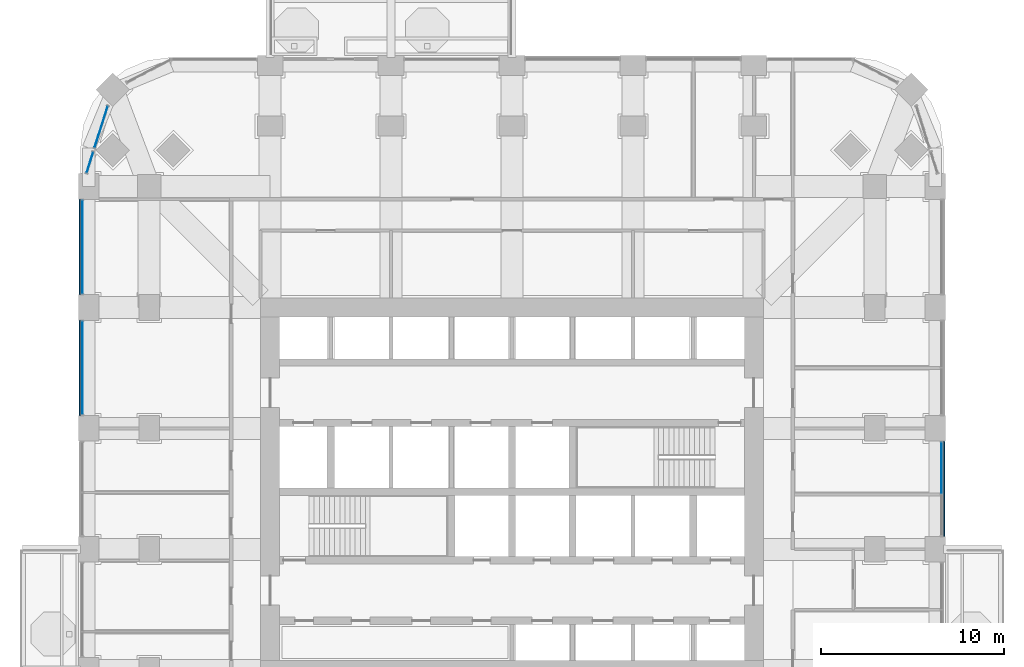
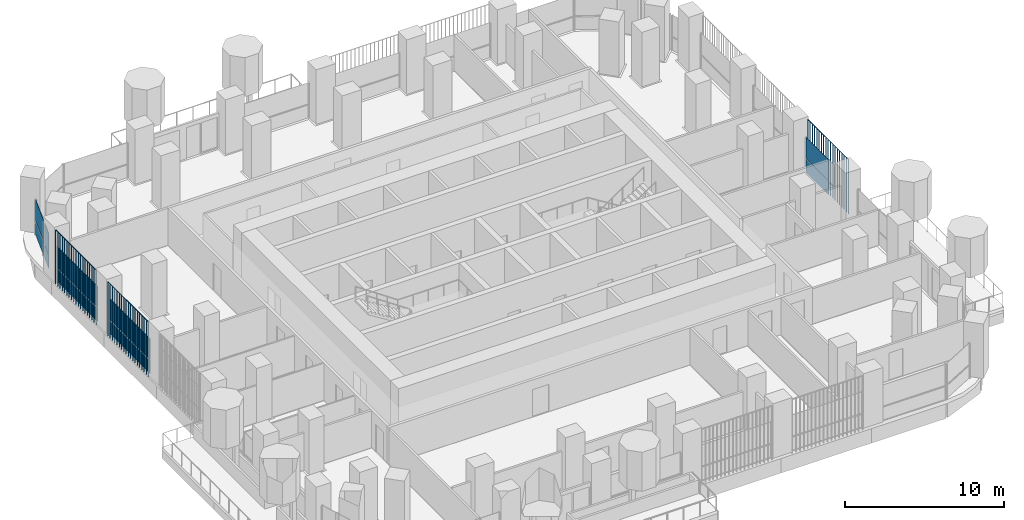
# One storey, part 10 of 21: 13 plates, 5 elements without a shape of their own.
"""IFC4 building model written with IfcOpenShell, lengths in metres."""

from ifc_helpers import new_model, si_unit, direction, frame, origin, origin_2d, place, context, subcontext, project, spatial, polyline, rectangle, outline, extrude, material, layer, layer_set, type_object, element, aggregate, save


model = new_model("IFC4")

# Units and contexts
model_context = context("Model", 3, precision=1e-05, world=origin(), true_north=direction((0.0, 1.0)))
body_context = subcontext(model_context, "Body", "Model", "MODEL_VIEW")
ifc_project = project(units=[si_unit("LENGTHUNIT", "METRE"), si_unit("AREAUNIT", "SQUARE_METRE"), si_unit("VOLUMEUNIT", "CUBIC_METRE"), si_unit("PLANEANGLEUNIT", "RADIAN"), si_unit("MASSUNIT", "GRAM", prefix="KILO")], contexts=[model_context])

# Site, building, storey
site_placement = place(None, origin())
site = spatial("IfcSite", under=ifc_project, at=site_placement, CompositionType="ELEMENT")
building_placement = place(site_placement, origin())
building = spatial("IfcBuilding", under=site, at=building_placement, Name="Cobogo Forest Laboratory Tower", CompositionType="ELEMENT")
storey_placement = place(building_placement, frame((0.0, 0.0, 124.199951171875)))
storey = spatial("IfcBuildingStorey", under=building, at=storey_placement, Name="L28", CompositionType="ELEMENT", Elevation=124.199951171875)

# Curtain wall, plates
ifc_material_1 = material(Name="Aluminium curtain wall", Category="aluminium")
curtain_wall_type = type_object("IfcCurtainWallType", Name="CW-1 unitised curtain wall, clear glazing, laboratory floors zones A and B", PredefinedType="USERDEFINED", material=ifc_material_1)
curtain_wall_1_placement = place(storey_placement, origin())
curtain_wall_1 = element("IfcCurtainWall", 1, at=curtain_wall_1_placement, inside=storey, type_object=curtain_wall_type, Name="Curtain wall 12 L28", ObjectType="UNITISED CURTAIN WALL", PredefinedType="USERDEFINED")
ifc_material_2 = material(Name="Clear insulated glass", Category="glass")
ifc_layer = layer(ifc_material_2, 0.028076171875)
ifc_layer_set = layer_set([ifc_layer], Name="GP-1 clear insulated glass unit 28")
plate_type_1 = type_object("IfcPlateType", Name="GP-1 clear insulated glass unit 28", PredefinedType="CURTAIN_PANEL", material=ifc_layer_set)
plate_1_placement = place(storey_placement, frame((49.85009765625, 24.235107421875, 0.0), z_axis=(0.0, 0.0, 1.0), x_axis=(0.0, 1.0, 0.0)))
plate_1 = element("IfcPlate", 2, at=plate_1_placement, type_object=plate_type_1, Name="CW-1 panel 2.1", PredefinedType="CURTAIN_PANEL", context=body_context, shape_type="SweptSolid", body=[
    extrude(rectangle(XDim=2.81005859375, YDim=0.028076171875, at=origin_2d()), origin(), (0.0, 0.0, 1.0), 1.02001953125),
])
plate_2_placement = place(storey_placement, frame((49.85009765625, 24.235107421875, 1.080078125), z_axis=(0.0, 0.0, 1.0), x_axis=(0.0, 1.0, 0.0)))
plate_2 = element("IfcPlate", 3, at=plate_2_placement, type_object=plate_type_1, Name="CW-1 panel 2.2", PredefinedType="CURTAIN_PANEL", context=body_context, shape_type="SweptSolid", body=[
    extrude(rectangle(XDim=2.81005859375, YDim=0.028076171875, at=origin_2d()), origin(), (0.0, 0.0, 1.0), 1.6201171875),
])
aggregate(curtain_wall_1, [plate_1, plate_2])

curtain_wall_2_placement = place(storey_placement, origin())
curtain_wall_2 = element("IfcCurtainWall", 4, at=curtain_wall_2_placement, inside=storey, type_object=curtain_wall_type, Name="Curtain wall 25 L28", ObjectType="UNITISED CURTAIN WALL", PredefinedType="USERDEFINED")
plate_3_placement = place(storey_placement, frame((3.978759765625, 42.857421875, 0.0), z_axis=(0.0, 0.0, 1.0), x_axis=(-0.301135291996, -0.953581425949, 0.0)))
plate_3 = element("IfcPlate", 5, at=plate_3_placement, type_object=plate_type_1, Name="CW-1 panel 1.1", PredefinedType="CURTAIN_PANEL", context=body_context, shape_type="SweptSolid", body=[
    extrude(rectangle(XDim=2.3681640625, YDim=0.028076171875, at=origin_2d()), origin(), (0.0, 0.0, 1.0), 1.02001953125),
])
plate_4_placement = place(storey_placement, frame((3.978759765625, 42.857421875, 1.080078125), z_axis=(0.0, 0.0, 1.0), x_axis=(-0.301135291996, -0.953581425949, 0.0)))
plate_4 = element("IfcPlate", 6, at=plate_4_placement, type_object=plate_type_1, Name="CW-1 panel 1.2", PredefinedType="CURTAIN_PANEL", context=body_context, shape_type="SweptSolid", body=[
    extrude(rectangle(XDim=2.3681640625, YDim=0.028076171875, at=origin_2d()), origin(), (0.0, 0.0, 1.0), 1.6201171875),
])
aggregate(curtain_wall_2, [plate_3, plate_4])

curtain_wall_3_placement = place(storey_placement, origin())
curtain_wall_3 = element("IfcCurtainWall", 7, at=curtain_wall_3_placement, inside=storey, type_object=curtain_wall_type, Name="Curtain wall 26 L28", ObjectType="UNITISED CURTAIN WALL", PredefinedType="USERDEFINED")
plate_5_placement = place(storey_placement, frame((3.3662109375, 40.917724609375, 0.0), z_axis=(0.0, 0.0, 1.0), x_axis=(-0.301135356805, -0.953581405483, 0.0)))
plate_5 = element("IfcPlate", 8, at=plate_5_placement, type_object=plate_type_1, Name="CW-1 panel 1.1", PredefinedType="CURTAIN_PANEL", context=body_context, shape_type="SweptSolid", body=[
    extrude(rectangle(XDim=1.17578125, YDim=0.028076171875, at=origin_2d()), origin(), (0.0, 0.0, 1.0), 1.02001953125),
])
plate_6_placement = place(storey_placement, frame((3.3662109375, 40.917724609375, 1.080078125), z_axis=(0.0, 0.0, 1.0), x_axis=(-0.301135356805, -0.953581405483, 0.0)))
plate_6 = element("IfcPlate", 9, at=plate_6_placement, type_object=plate_type_1, Name="CW-1 panel 1.2", PredefinedType="CURTAIN_PANEL", context=body_context, shape_type="SweptSolid", body=[
    extrude(rectangle(XDim=1.17578125, YDim=0.028076171875, at=origin_2d()), origin(), (0.0, 0.0, 1.0), 1.6201171875),
])
aggregate(curtain_wall_3, [plate_5, plate_6])

curtain_wall_4_placement = place(storey_placement, origin())
curtain_wall_4 = element("IfcCurtainWall", 10, at=curtain_wall_4_placement, inside=storey, type_object=curtain_wall_type, Name="Curtain wall 27 L28", ObjectType="UNITISED CURTAIN WALL", PredefinedType="USERDEFINED")
plate_7_placement = place(storey_placement, frame((2.949951171875, 36.300048828125, 0.0), z_axis=(0.0, 0.0, 1.0), x_axis=(0.0, -1.0, 0.0)))
plate_7 = element("IfcPlate", 11, at=plate_7_placement, type_object=plate_type_1, Name="CW-1 panel 1.1", PredefinedType="CURTAIN_PANEL", context=body_context, shape_type="SweptSolid", body=[
    extrude(rectangle(XDim=5.080078125, YDim=0.028076171875, at=origin_2d()), origin(), (0.0, 0.0, 1.0), 1.02001953125),
])
plate_8_placement = place(storey_placement, frame((2.949951171875, 36.300048828125, 1.080078125), z_axis=(0.0, 0.0, 1.0), x_axis=(0.0, -1.0, 0.0)))
plate_8 = element("IfcPlate", 12, at=plate_8_placement, type_object=plate_type_1, Name="CW-1 panel 1.2", PredefinedType="CURTAIN_PANEL", context=body_context, shape_type="SweptSolid", body=[
    extrude(rectangle(XDim=5.080078125, YDim=0.028076171875, at=origin_2d()), origin(), (0.0, 0.0, 1.0), 1.6201171875),
])
aggregate(curtain_wall_4, [plate_7, plate_8])

curtain_wall_5_placement = place(storey_placement, origin())
curtain_wall_5 = element("IfcCurtainWall", 13, at=curtain_wall_5_placement, inside=storey, type_object=curtain_wall_type, Name="Curtain wall 28 L28", ObjectType="UNITISED CURTAIN WALL", PredefinedType="USERDEFINED")
plate_9_placement = place(storey_placement, frame((2.949951171875, 29.699951171875, 0.0), z_axis=(0.0, 0.0, 1.0), x_axis=(0.0, -1.0, 0.0)))
plate_9 = element("IfcPlate", 14, at=plate_9_placement, type_object=plate_type_1, Name="CW-1 panel 1.1", PredefinedType="CURTAIN_PANEL", context=body_context, shape_type="SweptSolid", body=[
    extrude(rectangle(XDim=5.080078125, YDim=0.028076171875, at=origin_2d()), origin(), (0.0, 0.0, 1.0), 1.02001953125),
])
plate_10_placement = place(storey_placement, frame((2.949951171875, 29.699951171875, 1.080078125), z_axis=(0.0, 0.0, 1.0), x_axis=(0.0, -1.0, 0.0)))
plate_10 = element("IfcPlate", 15, at=plate_10_placement, type_object=plate_type_1, Name="CW-1 panel 1.2", PredefinedType="CURTAIN_PANEL", context=body_context, shape_type="SweptSolid", body=[
    extrude(rectangle(XDim=5.080078125, YDim=0.028076171875, at=origin_2d()), origin(), (0.0, 0.0, 1.0), 1.6201171875),
])
aggregate(curtain_wall_5, [plate_9, plate_10])

# Plates
ifc_material_3 = material(Name="Terracotta", Category="masonry")
plate_type_2 = type_object("IfcPlateType", Name="TB1 terracotta baguette screen", PredefinedType="USERDEFINED", material=ifc_material_3)
plate_11_placement = place(storey_placement, frame((49.977783203125, 20.53125, -0.14990234375)))
element("IfcPlate", 16, at=plate_11_placement, inside=storey, type_object=plate_type_2, Name="Baguette screen E3 L28", ObjectType="BAGUETTE SCREEN", PredefinedType="USERDEFINED", context=body_context, shape_type="SweptSolid", body=[
    extrude(outline(polyline([(0.02880859375, 0.011962890625), (0.011962890625, 0.02880859375), (-0.011962890625, 0.02880859375), (-0.02880859375, 0.011962890625), (-0.02880859375, -0.011962890625), (-0.011962890625, -0.02880859375), (0.011962890625, -0.02880859375), (0.02880859375, -0.011962890625), (0.02880859375, 0.011962890625)])), frame((0.0, 0.0, 4.168701171875), z_axis=(0.0, 1.0, 0.0), x_axis=(-1.0, 0.0, 0.0)), (0.0, 0.0, 1.0), 5.137451171875),
    extrude(outline(polyline([(0.02880859375, 0.011962890625), (0.011962890625, 0.02880859375), (-0.011962890625, 0.02880859375), (-0.02880859375, 0.011962890625), (-0.02880859375, -0.011962890625), (-0.011962890625, -0.02880859375), (0.011962890625, -0.02880859375), (0.02880859375, -0.011962890625), (0.02880859375, 0.011962890625)])), origin(), (0.0, 0.0, 1.0), 4.137451171875),
    extrude(outline(polyline([(0.02880859375, 0.011962890625), (0.011962890625, 0.02880859375), (-0.011962890625, 0.02880859375), (-0.02880859375, 0.011962890625), (-0.02880859375, -0.011962890625), (-0.011962890625, -0.02880859375), (0.011962890625, -0.02880859375), (0.02880859375, -0.011962890625), (0.02880859375, 0.011962890625)])), frame((0.0, 0.285400390625, 0.0)), (0.0, 0.0, 1.0), 4.137451171875),
    extrude(outline(polyline([(0.02880859375, 0.011962890625), (0.011962890625, 0.02880859375), (-0.011962890625, 0.02880859375), (-0.02880859375, 0.011962890625), (-0.02880859375, -0.011962890625), (-0.011962890625, -0.02880859375), (0.011962890625, -0.02880859375), (0.02880859375, -0.011962890625), (0.02880859375, 0.011962890625)])), frame((0.0, 0.57080078125, 0.0)), (0.0, 0.0, 1.0), 4.137451171875),
    extrude(outline(polyline([(0.02880859375, 0.011962890625), (0.011962890625, 0.02880859375), (-0.011962890625, 0.02880859375), (-0.02880859375, 0.011962890625), (-0.02880859375, -0.011962890625), (-0.011962890625, -0.02880859375), (0.011962890625, -0.02880859375), (0.02880859375, -0.011962890625), (0.02880859375, 0.011962890625)])), frame((0.0, 0.856201171875, 0.0)), (0.0, 0.0, 1.0), 4.137451171875),
    extrude(outline(polyline([(0.02880859375, 0.011962890625), (0.011962890625, 0.02880859375), (-0.011962890625, 0.02880859375), (-0.02880859375, 0.011962890625), (-0.02880859375, -0.011962890625), (-0.011962890625, -0.02880859375), (0.011962890625, -0.02880859375), (0.02880859375, -0.011962890625), (0.02880859375, 0.011962890625)])), frame((0.0, 1.1416015625, 0.0)), (0.0, 0.0, 1.0), 4.137451171875),
    extrude(outline(polyline([(0.02880859375, 0.011962890625), (0.011962890625, 0.02880859375), (-0.011962890625, 0.02880859375), (-0.02880859375, 0.011962890625), (-0.02880859375, -0.011962890625), (-0.011962890625, -0.02880859375), (0.011962890625, -0.02880859375), (0.02880859375, -0.011962890625), (0.02880859375, 0.011962890625)])), frame((0.0, 1.427001953125, 0.0)), (0.0, 0.0, 1.0), 4.137451171875),
    extrude(outline(polyline([(0.02880859375, 0.011962890625), (0.011962890625, 0.02880859375), (-0.011962890625, 0.02880859375), (-0.02880859375, 0.011962890625), (-0.02880859375, -0.011962890625), (-0.011962890625, -0.02880859375), (0.011962890625, -0.02880859375), (0.02880859375, -0.011962890625), (0.02880859375, 0.011962890625)])), frame((0.0, 1.71240234375, 0.0)), (0.0, 0.0, 1.0), 4.137451171875),
    extrude(outline(polyline([(0.02880859375, 0.011962890625), (0.011962890625, 0.02880859375), (-0.011962890625, 0.02880859375), (-0.02880859375, 0.011962890625), (-0.02880859375, -0.011962890625), (-0.011962890625, -0.02880859375), (0.011962890625, -0.02880859375), (0.02880859375, -0.011962890625), (0.02880859375, 0.011962890625)])), frame((0.0, 1.997802734375, 0.0)), (0.0, 0.0, 1.0), 4.137451171875),
    extrude(outline(polyline([(0.02880859375, 0.011962890625), (0.011962890625, 0.02880859375), (-0.011962890625, 0.02880859375), (-0.02880859375, 0.011962890625), (-0.02880859375, -0.011962890625), (-0.011962890625, -0.02880859375), (0.011962890625, -0.02880859375), (0.02880859375, -0.011962890625), (0.02880859375, 0.011962890625)])), frame((0.0, 2.283203125, 0.0)), (0.0, 0.0, 1.0), 4.137451171875),
    extrude(outline(polyline([(0.02880859375, 0.011962890625), (0.011962890625, 0.02880859375), (-0.011962890625, 0.02880859375), (-0.02880859375, 0.011962890625), (-0.02880859375, -0.011962890625), (-0.011962890625, -0.02880859375), (0.011962890625, -0.02880859375), (0.02880859375, -0.011962890625), (0.02880859375, 0.011962890625)])), frame((0.0, 2.56884765625, 0.0)), (0.0, 0.0, 1.0), 4.137451171875),
    extrude(outline(polyline([(0.02880859375, 0.011962890625), (0.011962890625, 0.02880859375), (-0.011962890625, 0.02880859375), (-0.02880859375, 0.011962890625), (-0.02880859375, -0.011962890625), (-0.011962890625, -0.02880859375), (0.011962890625, -0.02880859375), (0.02880859375, -0.011962890625), (0.02880859375, 0.011962890625)])), frame((0.0, 2.854248046875, 0.0)), (0.0, 0.0, 1.0), 4.137451171875),
    extrude(outline(polyline([(0.02880859375, 0.011962890625), (0.011962890625, 0.02880859375), (-0.011962890625, 0.02880859375), (-0.02880859375, 0.011962890625), (-0.02880859375, -0.011962890625), (-0.011962890625, -0.02880859375), (0.011962890625, -0.02880859375), (0.02880859375, -0.011962890625), (0.02880859375, 0.011962890625)])), frame((0.0, 3.1396484375, 0.0)), (0.0, 0.0, 1.0), 4.137451171875),
    extrude(outline(polyline([(0.02880859375, 0.011962890625), (0.011962890625, 0.02880859375), (-0.011962890625, 0.02880859375), (-0.02880859375, 0.011962890625), (-0.02880859375, -0.011962890625), (-0.011962890625, -0.02880859375), (0.011962890625, -0.02880859375), (0.02880859375, -0.011962890625), (0.02880859375, 0.011962890625)])), frame((0.0, 3.425048828125, 0.0)), (0.0, 0.0, 1.0), 4.137451171875),
    extrude(outline(polyline([(0.02880859375, 0.011962890625), (0.011962890625, 0.02880859375), (-0.011962890625, 0.02880859375), (-0.02880859375, 0.011962890625), (-0.02880859375, -0.011962890625), (-0.011962890625, -0.02880859375), (0.011962890625, -0.02880859375), (0.02880859375, -0.011962890625), (0.02880859375, 0.011962890625)])), frame((0.0, 3.71044921875, 0.0)), (0.0, 0.0, 1.0), 4.137451171875),
    extrude(outline(polyline([(0.02880859375, 0.011962890625), (0.011962890625, 0.02880859375), (-0.011962890625, 0.02880859375), (-0.02880859375, 0.011962890625), (-0.02880859375, -0.011962890625), (-0.011962890625, -0.02880859375), (0.011962890625, -0.02880859375), (0.02880859375, -0.011962890625), (0.02880859375, 0.011962890625)])), frame((0.0, 3.995849609375, 0.0)), (0.0, 0.0, 1.0), 4.137451171875),
    extrude(outline(polyline([(0.02880859375, 0.011962890625), (0.011962890625, 0.02880859375), (-0.011962890625, 0.02880859375), (-0.02880859375, 0.011962890625), (-0.02880859375, -0.011962890625), (-0.011962890625, -0.02880859375), (0.011962890625, -0.02880859375), (0.02880859375, -0.011962890625), (0.02880859375, 0.011962890625)])), frame((0.0, 4.28125, 0.0)), (0.0, 0.0, 1.0), 4.137451171875),
    extrude(outline(polyline([(0.02880859375, 0.011962890625), (0.011962890625, 0.02880859375), (-0.011962890625, 0.02880859375), (-0.02880859375, 0.011962890625), (-0.02880859375, -0.011962890625), (-0.011962890625, -0.02880859375), (0.011962890625, -0.02880859375), (0.02880859375, -0.011962890625), (0.02880859375, 0.011962890625)])), frame((0.0, 4.566650390625, 0.0)), (0.0, 0.0, 1.0), 4.137451171875),
    extrude(outline(polyline([(0.02880859375, 0.011962890625), (0.011962890625, 0.02880859375), (-0.011962890625, 0.02880859375), (-0.02880859375, 0.011962890625), (-0.02880859375, -0.011962890625), (-0.011962890625, -0.02880859375), (0.011962890625, -0.02880859375), (0.02880859375, -0.011962890625), (0.02880859375, 0.011962890625)])), frame((0.0, 4.85205078125, 0.0)), (0.0, 0.0, 1.0), 4.137451171875),
    extrude(outline(polyline([(0.02880859375, 0.011962890625), (0.011962890625, 0.02880859375), (-0.011962890625, 0.02880859375), (-0.02880859375, 0.011962890625), (-0.02880859375, -0.011962890625), (-0.011962890625, -0.02880859375), (0.011962890625, -0.02880859375), (0.02880859375, -0.011962890625), (0.02880859375, 0.011962890625)])), frame((0.0, 5.137451171875, 0.0)), (0.0, 0.0, 1.0), 4.137451171875),
])
plate_12_placement = place(storey_placement, frame((2.822021484375, 27.13134765625, -0.14990234375)))
element("IfcPlate", 17, at=plate_12_placement, inside=storey, type_object=plate_type_2, Name="Baguette screen W4 L28", ObjectType="BAGUETTE SCREEN", PredefinedType="USERDEFINED", context=body_context, shape_type="SweptSolid", body=[
    extrude(outline(polyline([(0.02880859375, 0.011962890625), (0.011962890625, 0.02880859375), (-0.011962890625, 0.02880859375), (-0.02880859375, 0.011962890625), (-0.02880859375, -0.011962890625), (-0.011962890625, -0.02880859375), (0.011962890625, -0.02880859375), (0.02880859375, -0.011962890625), (0.02880859375, 0.011962890625)])), frame((0.0, 0.0, 4.168701171875), z_axis=(0.0, 1.0, 0.0), x_axis=(-1.0, 0.0, 0.0)), (0.0, 0.0, 1.0), 5.137451171875),
    extrude(outline(polyline([(0.02880859375, 0.011962890625), (0.011962890625, 0.02880859375), (-0.011962890625, 0.02880859375), (-0.02880859375, 0.011962890625), (-0.02880859375, -0.011962890625), (-0.011962890625, -0.02880859375), (0.011962890625, -0.02880859375), (0.02880859375, -0.011962890625), (0.02880859375, 0.011962890625)])), origin(), (0.0, 0.0, 1.0), 4.137451171875),
    extrude(outline(polyline([(0.02880859375, 0.011962890625), (0.011962890625, 0.02880859375), (-0.011962890625, 0.02880859375), (-0.02880859375, 0.011962890625), (-0.02880859375, -0.011962890625), (-0.011962890625, -0.02880859375), (0.011962890625, -0.02880859375), (0.02880859375, -0.011962890625), (0.02880859375, 0.011962890625)])), frame((0.0, 0.285400390625, 0.0)), (0.0, 0.0, 1.0), 4.137451171875),
    extrude(outline(polyline([(0.02880859375, 0.011962890625), (0.011962890625, 0.02880859375), (-0.011962890625, 0.02880859375), (-0.02880859375, 0.011962890625), (-0.02880859375, -0.011962890625), (-0.011962890625, -0.02880859375), (0.011962890625, -0.02880859375), (0.02880859375, -0.011962890625), (0.02880859375, 0.011962890625)])), frame((0.0, 0.57080078125, 0.0)), (0.0, 0.0, 1.0), 4.137451171875),
    extrude(outline(polyline([(0.02880859375, 0.011962890625), (0.011962890625, 0.02880859375), (-0.011962890625, 0.02880859375), (-0.02880859375, 0.011962890625), (-0.02880859375, -0.011962890625), (-0.011962890625, -0.02880859375), (0.011962890625, -0.02880859375), (0.02880859375, -0.011962890625), (0.02880859375, 0.011962890625)])), frame((0.0, 0.856201171875, 0.0)), (0.0, 0.0, 1.0), 4.137451171875),
    extrude(outline(polyline([(0.02880859375, 0.011962890625), (0.011962890625, 0.02880859375), (-0.011962890625, 0.02880859375), (-0.02880859375, 0.011962890625), (-0.02880859375, -0.011962890625), (-0.011962890625, -0.02880859375), (0.011962890625, -0.02880859375), (0.02880859375, -0.011962890625), (0.02880859375, 0.011962890625)])), frame((0.0, 1.1416015625, 0.0)), (0.0, 0.0, 1.0), 4.137451171875),
    extrude(outline(polyline([(0.02880859375, 0.011962890625), (0.011962890625, 0.02880859375), (-0.011962890625, 0.02880859375), (-0.02880859375, 0.011962890625), (-0.02880859375, -0.011962890625), (-0.011962890625, -0.02880859375), (0.011962890625, -0.02880859375), (0.02880859375, -0.011962890625), (0.02880859375, 0.011962890625)])), frame((0.0, 1.427001953125, 0.0)), (0.0, 0.0, 1.0), 4.137451171875),
    extrude(outline(polyline([(0.02880859375, 0.011962890625), (0.011962890625, 0.02880859375), (-0.011962890625, 0.02880859375), (-0.02880859375, 0.011962890625), (-0.02880859375, -0.011962890625), (-0.011962890625, -0.02880859375), (0.011962890625, -0.02880859375), (0.02880859375, -0.011962890625), (0.02880859375, 0.011962890625)])), frame((0.0, 1.71240234375, 0.0)), (0.0, 0.0, 1.0), 4.137451171875),
    extrude(outline(polyline([(0.02880859375, 0.011962890625), (0.011962890625, 0.02880859375), (-0.011962890625, 0.02880859375), (-0.02880859375, 0.011962890625), (-0.02880859375, -0.011962890625), (-0.011962890625, -0.02880859375), (0.011962890625, -0.02880859375), (0.02880859375, -0.011962890625), (0.02880859375, 0.011962890625)])), frame((0.0, 1.997802734375, 0.0)), (0.0, 0.0, 1.0), 4.137451171875),
    extrude(outline(polyline([(0.02880859375, 0.011962890625), (0.011962890625, 0.02880859375), (-0.011962890625, 0.02880859375), (-0.02880859375, 0.011962890625), (-0.02880859375, -0.011962890625), (-0.011962890625, -0.02880859375), (0.011962890625, -0.02880859375), (0.02880859375, -0.011962890625), (0.02880859375, 0.011962890625)])), frame((0.0, 2.283203125, 0.0)), (0.0, 0.0, 1.0), 4.137451171875),
    extrude(outline(polyline([(0.02880859375, 0.011962890625), (0.011962890625, 0.02880859375), (-0.011962890625, 0.02880859375), (-0.02880859375, 0.011962890625), (-0.02880859375, -0.011962890625), (-0.011962890625, -0.02880859375), (0.011962890625, -0.02880859375), (0.02880859375, -0.011962890625), (0.02880859375, 0.011962890625)])), frame((0.0, 2.56884765625, 0.0)), (0.0, 0.0, 1.0), 4.137451171875),
    extrude(outline(polyline([(0.02880859375, 0.011962890625), (0.011962890625, 0.02880859375), (-0.011962890625, 0.02880859375), (-0.02880859375, 0.011962890625), (-0.02880859375, -0.011962890625), (-0.011962890625, -0.02880859375), (0.011962890625, -0.02880859375), (0.02880859375, -0.011962890625), (0.02880859375, 0.011962890625)])), frame((0.0, 2.854248046875, 0.0)), (0.0, 0.0, 1.0), 4.137451171875),
    extrude(outline(polyline([(0.02880859375, 0.011962890625), (0.011962890625, 0.02880859375), (-0.011962890625, 0.02880859375), (-0.02880859375, 0.011962890625), (-0.02880859375, -0.011962890625), (-0.011962890625, -0.02880859375), (0.011962890625, -0.02880859375), (0.02880859375, -0.011962890625), (0.02880859375, 0.011962890625)])), frame((0.0, 3.1396484375, 0.0)), (0.0, 0.0, 1.0), 4.137451171875),
    extrude(outline(polyline([(0.02880859375, 0.011962890625), (0.011962890625, 0.02880859375), (-0.011962890625, 0.02880859375), (-0.02880859375, 0.011962890625), (-0.02880859375, -0.011962890625), (-0.011962890625, -0.02880859375), (0.011962890625, -0.02880859375), (0.02880859375, -0.011962890625), (0.02880859375, 0.011962890625)])), frame((0.0, 3.425048828125, 0.0)), (0.0, 0.0, 1.0), 4.137451171875),
    extrude(outline(polyline([(0.02880859375, 0.011962890625), (0.011962890625, 0.02880859375), (-0.011962890625, 0.02880859375), (-0.02880859375, 0.011962890625), (-0.02880859375, -0.011962890625), (-0.011962890625, -0.02880859375), (0.011962890625, -0.02880859375), (0.02880859375, -0.011962890625), (0.02880859375, 0.011962890625)])), frame((0.0, 3.71044921875, 0.0)), (0.0, 0.0, 1.0), 4.137451171875),
    extrude(outline(polyline([(0.02880859375, 0.011962890625), (0.011962890625, 0.02880859375), (-0.011962890625, 0.02880859375), (-0.02880859375, 0.011962890625), (-0.02880859375, -0.011962890625), (-0.011962890625, -0.02880859375), (0.011962890625, -0.02880859375), (0.02880859375, -0.011962890625), (0.02880859375, 0.011962890625)])), frame((0.0, 3.995849609375, 0.0)), (0.0, 0.0, 1.0), 4.137451171875),
    extrude(outline(polyline([(0.02880859375, 0.011962890625), (0.011962890625, 0.02880859375), (-0.011962890625, 0.02880859375), (-0.02880859375, 0.011962890625), (-0.02880859375, -0.011962890625), (-0.011962890625, -0.02880859375), (0.011962890625, -0.02880859375), (0.02880859375, -0.011962890625), (0.02880859375, 0.011962890625)])), frame((0.0, 4.28125, 0.0)), (0.0, 0.0, 1.0), 4.137451171875),
    extrude(outline(polyline([(0.02880859375, 0.011962890625), (0.011962890625, 0.02880859375), (-0.011962890625, 0.02880859375), (-0.02880859375, 0.011962890625), (-0.02880859375, -0.011962890625), (-0.011962890625, -0.02880859375), (0.011962890625, -0.02880859375), (0.02880859375, -0.011962890625), (0.02880859375, 0.011962890625)])), frame((0.0, 4.566650390625, 0.0)), (0.0, 0.0, 1.0), 4.137451171875),
    extrude(outline(polyline([(0.02880859375, 0.011962890625), (0.011962890625, 0.02880859375), (-0.011962890625, 0.02880859375), (-0.02880859375, 0.011962890625), (-0.02880859375, -0.011962890625), (-0.011962890625, -0.02880859375), (0.011962890625, -0.02880859375), (0.02880859375, -0.011962890625), (0.02880859375, 0.011962890625)])), frame((0.0, 4.85205078125, 0.0)), (0.0, 0.0, 1.0), 4.137451171875),
    extrude(outline(polyline([(0.02880859375, 0.011962890625), (0.011962890625, 0.02880859375), (-0.011962890625, 0.02880859375), (-0.02880859375, 0.011962890625), (-0.02880859375, -0.011962890625), (-0.011962890625, -0.02880859375), (0.011962890625, -0.02880859375), (0.02880859375, -0.011962890625), (0.02880859375, 0.011962890625)])), frame((0.0, 5.137451171875, 0.0)), (0.0, 0.0, 1.0), 4.137451171875),
])
plate_13_placement = place(storey_placement, frame((2.822021484375, 33.731201171875, -0.14990234375)))
element("IfcPlate", 18, at=plate_13_placement, inside=storey, type_object=plate_type_2, Name="Baguette screen W5 L28", ObjectType="BAGUETTE SCREEN", PredefinedType="USERDEFINED", context=body_context, shape_type="SweptSolid", body=[
    extrude(outline(polyline([(0.02880859375, 0.011962890625), (0.011962890625, 0.02880859375), (-0.011962890625, 0.02880859375), (-0.02880859375, 0.011962890625), (-0.02880859375, -0.011962890625), (-0.011962890625, -0.02880859375), (0.011962890625, -0.02880859375), (0.02880859375, -0.011962890625), (0.02880859375, 0.011962890625)])), frame((0.0, 0.0, 4.168701171875), z_axis=(0.0, 1.0, 0.0), x_axis=(-1.0, 0.0, 0.0)), (0.0, 0.0, 1.0), 5.137451171875),
    extrude(outline(polyline([(0.02880859375, 0.011962890625), (0.011962890625, 0.02880859375), (-0.011962890625, 0.02880859375), (-0.02880859375, 0.011962890625), (-0.02880859375, -0.011962890625), (-0.011962890625, -0.02880859375), (0.011962890625, -0.02880859375), (0.02880859375, -0.011962890625), (0.02880859375, 0.011962890625)])), origin(), (0.0, 0.0, 1.0), 4.137451171875),
    extrude(outline(polyline([(0.02880859375, 0.011962890625), (0.011962890625, 0.02880859375), (-0.011962890625, 0.02880859375), (-0.02880859375, 0.011962890625), (-0.02880859375, -0.011962890625), (-0.011962890625, -0.02880859375), (0.011962890625, -0.02880859375), (0.02880859375, -0.011962890625), (0.02880859375, 0.011962890625)])), frame((0.0, 0.285400390625, 0.0)), (0.0, 0.0, 1.0), 4.137451171875),
    extrude(outline(polyline([(0.02880859375, 0.011962890625), (0.011962890625, 0.02880859375), (-0.011962890625, 0.02880859375), (-0.02880859375, 0.011962890625), (-0.02880859375, -0.011962890625), (-0.011962890625, -0.02880859375), (0.011962890625, -0.02880859375), (0.02880859375, -0.011962890625), (0.02880859375, 0.011962890625)])), frame((0.0, 0.57080078125, 0.0)), (0.0, 0.0, 1.0), 4.137451171875),
    extrude(outline(polyline([(0.02880859375, 0.011962890625), (0.011962890625, 0.02880859375), (-0.011962890625, 0.02880859375), (-0.02880859375, 0.011962890625), (-0.02880859375, -0.011962890625), (-0.011962890625, -0.02880859375), (0.011962890625, -0.02880859375), (0.02880859375, -0.011962890625), (0.02880859375, 0.011962890625)])), frame((0.0, 0.856201171875, 0.0)), (0.0, 0.0, 1.0), 4.137451171875),
    extrude(outline(polyline([(0.02880859375, 0.011962890625), (0.011962890625, 0.02880859375), (-0.011962890625, 0.02880859375), (-0.02880859375, 0.011962890625), (-0.02880859375, -0.011962890625), (-0.011962890625, -0.02880859375), (0.011962890625, -0.02880859375), (0.02880859375, -0.011962890625), (0.02880859375, 0.011962890625)])), frame((0.0, 1.1416015625, 0.0)), (0.0, 0.0, 1.0), 4.137451171875),
    extrude(outline(polyline([(0.02880859375, 0.011962890625), (0.011962890625, 0.02880859375), (-0.011962890625, 0.02880859375), (-0.02880859375, 0.011962890625), (-0.02880859375, -0.011962890625), (-0.011962890625, -0.02880859375), (0.011962890625, -0.02880859375), (0.02880859375, -0.011962890625), (0.02880859375, 0.011962890625)])), frame((0.0, 1.427001953125, 0.0)), (0.0, 0.0, 1.0), 4.137451171875),
    extrude(outline(polyline([(0.02880859375, 0.011962890625), (0.011962890625, 0.02880859375), (-0.011962890625, 0.02880859375), (-0.02880859375, 0.011962890625), (-0.02880859375, -0.011962890625), (-0.011962890625, -0.02880859375), (0.011962890625, -0.02880859375), (0.02880859375, -0.011962890625), (0.02880859375, 0.011962890625)])), frame((0.0, 1.71240234375, 0.0)), (0.0, 0.0, 1.0), 4.137451171875),
    extrude(outline(polyline([(0.02880859375, 0.011962890625), (0.011962890625, 0.02880859375), (-0.011962890625, 0.02880859375), (-0.02880859375, 0.011962890625), (-0.02880859375, -0.011962890625), (-0.011962890625, -0.02880859375), (0.011962890625, -0.02880859375), (0.02880859375, -0.011962890625), (0.02880859375, 0.011962890625)])), frame((0.0, 1.997802734375, 0.0)), (0.0, 0.0, 1.0), 4.137451171875),
    extrude(outline(polyline([(0.02880859375, 0.011962890625), (0.011962890625, 0.02880859375), (-0.011962890625, 0.02880859375), (-0.02880859375, 0.011962890625), (-0.02880859375, -0.011962890625), (-0.011962890625, -0.02880859375), (0.011962890625, -0.02880859375), (0.02880859375, -0.011962890625), (0.02880859375, 0.011962890625)])), frame((0.0, 2.283203125, 0.0)), (0.0, 0.0, 1.0), 4.137451171875),
    extrude(outline(polyline([(0.02880859375, 0.011962890625), (0.011962890625, 0.02880859375), (-0.011962890625, 0.02880859375), (-0.02880859375, 0.011962890625), (-0.02880859375, -0.011962890625), (-0.011962890625, -0.02880859375), (0.011962890625, -0.02880859375), (0.02880859375, -0.011962890625), (0.02880859375, 0.011962890625)])), frame((0.0, 2.56884765625, 0.0)), (0.0, 0.0, 1.0), 4.137451171875),
    extrude(outline(polyline([(0.02880859375, 0.011962890625), (0.011962890625, 0.02880859375), (-0.011962890625, 0.02880859375), (-0.02880859375, 0.011962890625), (-0.02880859375, -0.011962890625), (-0.011962890625, -0.02880859375), (0.011962890625, -0.02880859375), (0.02880859375, -0.011962890625), (0.02880859375, 0.011962890625)])), frame((0.0, 2.854248046875, 0.0)), (0.0, 0.0, 1.0), 4.137451171875),
    extrude(outline(polyline([(0.02880859375, 0.011962890625), (0.011962890625, 0.02880859375), (-0.011962890625, 0.02880859375), (-0.02880859375, 0.011962890625), (-0.02880859375, -0.011962890625), (-0.011962890625, -0.02880859375), (0.011962890625, -0.02880859375), (0.02880859375, -0.011962890625), (0.02880859375, 0.011962890625)])), frame((0.0, 3.1396484375, 0.0)), (0.0, 0.0, 1.0), 4.137451171875),
    extrude(outline(polyline([(0.02880859375, 0.011962890625), (0.011962890625, 0.02880859375), (-0.011962890625, 0.02880859375), (-0.02880859375, 0.011962890625), (-0.02880859375, -0.011962890625), (-0.011962890625, -0.02880859375), (0.011962890625, -0.02880859375), (0.02880859375, -0.011962890625), (0.02880859375, 0.011962890625)])), frame((0.0, 3.425048828125, 0.0)), (0.0, 0.0, 1.0), 4.137451171875),
    extrude(outline(polyline([(0.02880859375, 0.011962890625), (0.011962890625, 0.02880859375), (-0.011962890625, 0.02880859375), (-0.02880859375, 0.011962890625), (-0.02880859375, -0.011962890625), (-0.011962890625, -0.02880859375), (0.011962890625, -0.02880859375), (0.02880859375, -0.011962890625), (0.02880859375, 0.011962890625)])), frame((0.0, 3.71044921875, 0.0)), (0.0, 0.0, 1.0), 4.137451171875),
    extrude(outline(polyline([(0.02880859375, 0.011962890625), (0.011962890625, 0.02880859375), (-0.011962890625, 0.02880859375), (-0.02880859375, 0.011962890625), (-0.02880859375, -0.011962890625), (-0.011962890625, -0.02880859375), (0.011962890625, -0.02880859375), (0.02880859375, -0.011962890625), (0.02880859375, 0.011962890625)])), frame((0.0, 3.995849609375, 0.0)), (0.0, 0.0, 1.0), 4.137451171875),
    extrude(outline(polyline([(0.02880859375, 0.011962890625), (0.011962890625, 0.02880859375), (-0.011962890625, 0.02880859375), (-0.02880859375, 0.011962890625), (-0.02880859375, -0.011962890625), (-0.011962890625, -0.02880859375), (0.011962890625, -0.02880859375), (0.02880859375, -0.011962890625), (0.02880859375, 0.011962890625)])), frame((0.0, 4.28125, 0.0)), (0.0, 0.0, 1.0), 4.137451171875),
    extrude(outline(polyline([(0.02880859375, 0.011962890625), (0.011962890625, 0.02880859375), (-0.011962890625, 0.02880859375), (-0.02880859375, 0.011962890625), (-0.02880859375, -0.011962890625), (-0.011962890625, -0.02880859375), (0.011962890625, -0.02880859375), (0.02880859375, -0.011962890625), (0.02880859375, 0.011962890625)])), frame((0.0, 4.566650390625, 0.0)), (0.0, 0.0, 1.0), 4.137451171875),
    extrude(outline(polyline([(0.02880859375, 0.011962890625), (0.011962890625, 0.02880859375), (-0.011962890625, 0.02880859375), (-0.02880859375, 0.011962890625), (-0.02880859375, -0.011962890625), (-0.011962890625, -0.02880859375), (0.011962890625, -0.02880859375), (0.02880859375, -0.011962890625), (0.02880859375, 0.011962890625)])), frame((0.0, 4.85205078125, 0.0)), (0.0, 0.0, 1.0), 4.137451171875),
    extrude(outline(polyline([(0.02880859375, 0.011962890625), (0.011962890625, 0.02880859375), (-0.011962890625, 0.02880859375), (-0.02880859375, 0.011962890625), (-0.02880859375, -0.011962890625), (-0.011962890625, -0.02880859375), (0.011962890625, -0.02880859375), (0.02880859375, -0.011962890625), (0.02880859375, 0.011962890625)])), frame((0.0, 5.137451171875, 0.0)), (0.0, 0.0, 1.0), 4.137451171875),
])

save(model, "model.ifc")
